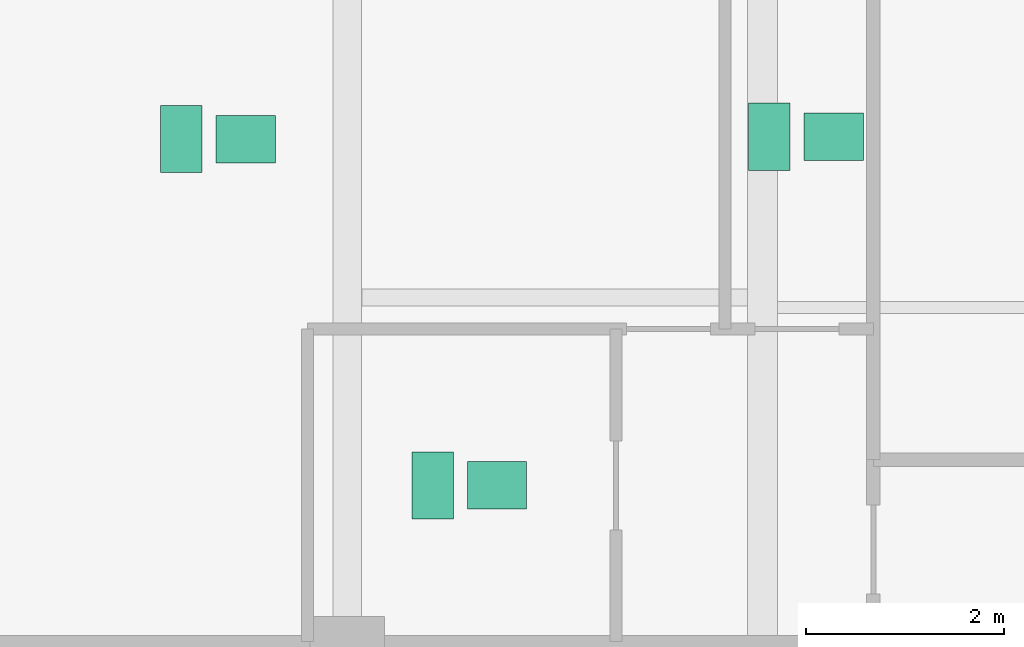
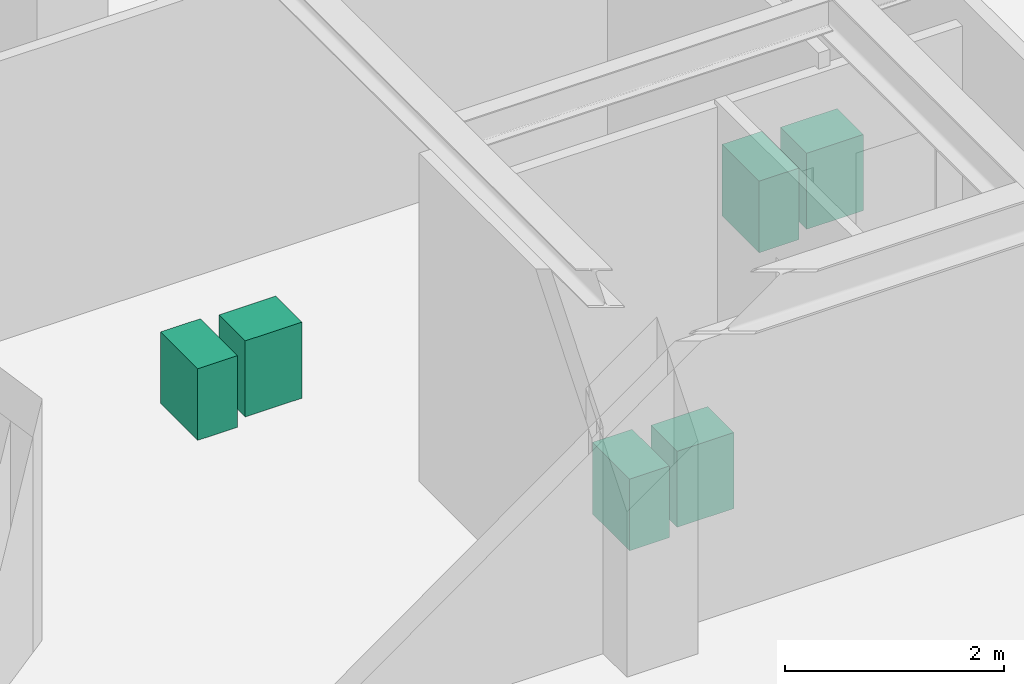
# One storey, part 21 of 21: 6 sanitary terminals.
"""IFC4 building model written with IfcOpenShell, lengths in metres."""

from ifc_helpers import new_model, si_unit, direction, frame, origin, origin_2d, place, context, subcontext, project, spatial, rectangle, extrude, source, transform, mapped, material, type_object, type_shapes, element, save


model = new_model("IFC4")

# Units and contexts
model_context = context("Model", 3, precision=1e-05, world=origin(), true_north=direction((0.0, 1.0)))
body_context = subcontext(model_context, "Body", "Model", "MODEL_VIEW")
ifc_project = project(units=[si_unit("LENGTHUNIT", "METRE"), si_unit("AREAUNIT", "SQUARE_METRE"), si_unit("VOLUMEUNIT", "CUBIC_METRE"), si_unit("PLANEANGLEUNIT", "RADIAN"), si_unit("MASSUNIT", "GRAM", prefix="KILO")], contexts=[model_context])

# Site, building, storey
site_placement = place(None, origin())
site = spatial("IfcSite", under=ifc_project, at=site_placement, CompositionType="ELEMENT")
building_placement = place(site_placement, origin())
building = spatial("IfcBuilding", under=site, at=building_placement, Name="Krantzveldt Concourse Tower", CompositionType="ELEMENT")
storey_placement = place(building_placement, frame((0.0, 0.0, 267.39990234375)))
storey = spatial("IfcBuildingStorey", under=building, at=storey_placement, Name="L65", CompositionType="ELEMENT", Elevation=267.39990234375)

# Sanitary terminals
ifc_material = material(Name="Vitreous china", Category="ceramic")
sanitary_terminal_type_1 = type_object("IfcSanitaryTerminalType", Name="SAN-WC-SUITE", PredefinedType="TOILETPAN", material=ifc_material)
shared_shape_1 = source(origin(), body_context, "Body", "SweptSolid", [
    extrude(rectangle(XDim=0.419921875, YDim=0.679931640625, at=origin_2d()), origin(), (0.0, 0.0, 1.0), 0.800048828125),
])
type_shapes(sanitary_terminal_type_1, [shared_shape_1])
for number, where, z_axis, x_axis, name in (
    (1, (19.3232421875, 31.902099609375, 0.0), (0.0, 0.0, 1.0), (1.0, 0.0, 0.0), "WC-SP-L65-WCM"),
    (2, (25.27001953125, 31.925048828125, 0.0), (0.0, 0.0, 1.0), (1.0, 0.0, 0.0), "WC-SP-L65-WCF"),
    (3, (21.864990234375, 28.39990234375, 0.0), (0.0, 0.0, 1.0), (1.0, 0.0, 0.0), "WC-SP-L65-WCA"),
):
    element("IfcSanitaryTerminal", number, at=place(storey_placement, frame(where, z_axis=z_axis, x_axis=x_axis)), inside=storey, type_object=sanitary_terminal_type_1, Name=name, PredefinedType="TOILETPAN", context=body_context, shape_type="MappedRepresentation", body=[
        mapped(shared_shape_1, transform((0.0, 0.0, 0.0), x_axis=(1.0, 0.0, 0.0), y_axis=(0.0, 1.0, 0.0), z_axis=(0.0, 0.0, 1.0), scale=1.0)),
    ])
sanitary_terminal_type_2 = type_object("IfcSanitaryTerminalType", Name="SAN-BASIN-600", PredefinedType="WASHHANDBASIN", material=ifc_material)
shared_shape_2 = source(origin(), body_context, "Body", "SweptSolid", [
    extrude(rectangle(XDim=0.60009765625, YDim=0.47998046875, at=origin_2d()), origin(), (0.0, 0.0, 1.0), 0.85009765625),
])
type_shapes(sanitary_terminal_type_2, [shared_shape_2])
for number, where, z_axis, x_axis, name in (
    (4, (19.973388671875, 31.902099609375, 0.005126953125), (0.0, 0.0, 1.0), (1.0, 0.0, 0.0), "BSN-SP-L65-WCM"),
    (5, (25.919921875, 31.925048828125, 0.005126953125), (0.0, 0.0, 1.0), (1.0, 0.0, 0.0), "BSN-SP-L65-WCF"),
    (6, (22.514892578125, 28.39990234375, 0.005126953125), (0.0, 0.0, 1.0), (1.0, 0.0, 0.0), "BSN-SP-L65-WCA"),
):
    element("IfcSanitaryTerminal", number, at=place(storey_placement, frame(where, z_axis=z_axis, x_axis=x_axis)), inside=storey, type_object=sanitary_terminal_type_2, Name=name, PredefinedType="WASHHANDBASIN", context=body_context, shape_type="MappedRepresentation", body=[
        mapped(shared_shape_2, transform((0.0, 0.0, 0.0), x_axis=(1.0, 0.0, 0.0), y_axis=(0.0, 1.0, 0.0), z_axis=(0.0, 0.0, 1.0), scale=1.0)),
    ])

save(model, "model.ifc")
